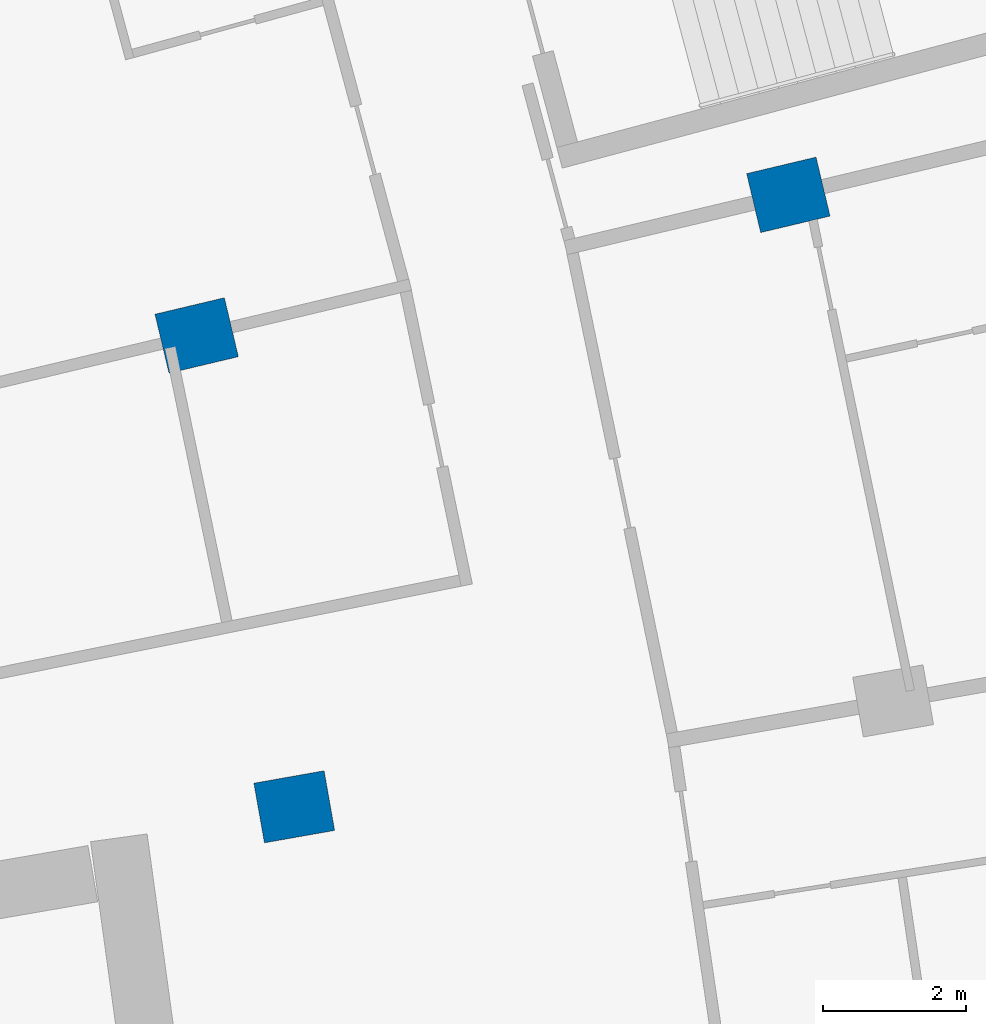
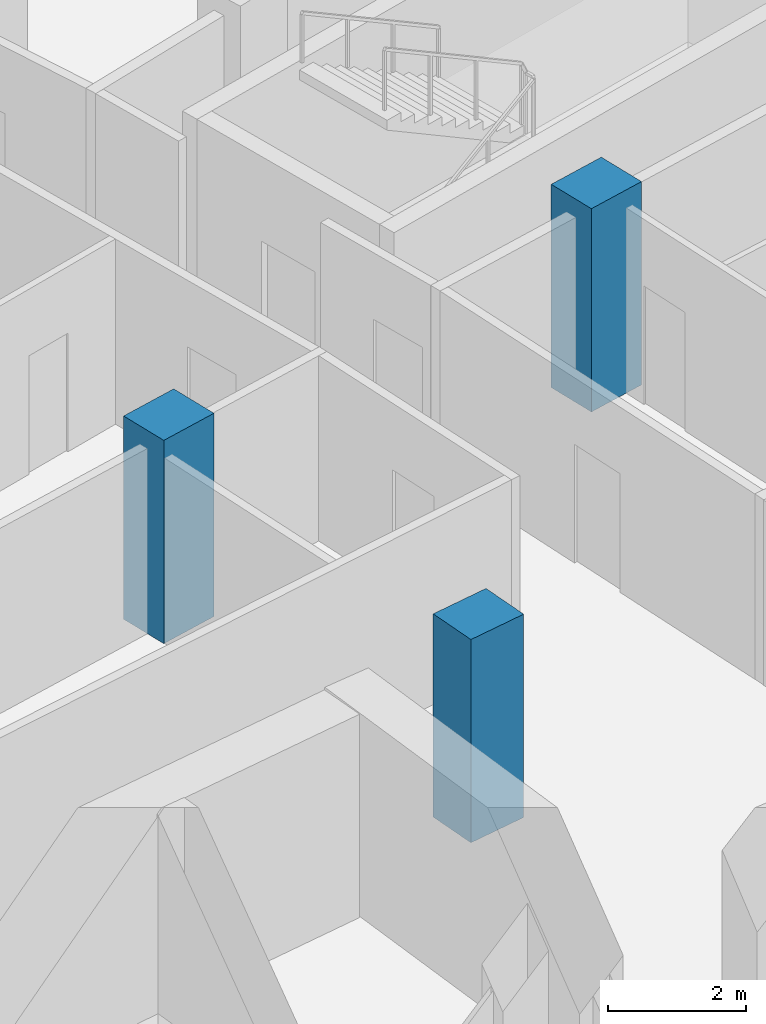
# One storey, part 8 of 24: 3 columns.
"""IFC4 building model written with IfcOpenShell, lengths in metres."""

from ifc_helpers import new_model, si_unit, direction, frame, origin, origin_2d, place, context, subcontext, project, spatial, rectangle, extrude, material, material_profile, profile_set, type_object, element, save


model = new_model("IFC4")

# Units and contexts
model_context = context("Model", 3, precision=1e-05, world=origin(), true_north=direction((0.0, 1.0)))
body_context = subcontext(model_context, "Body", "Model", "MODEL_VIEW")
ifc_project = project(units=[si_unit("LENGTHUNIT", "METRE"), si_unit("AREAUNIT", "SQUARE_METRE"), si_unit("VOLUMEUNIT", "CUBIC_METRE"), si_unit("PLANEANGLEUNIT", "RADIAN"), si_unit("MASSUNIT", "GRAM", prefix="KILO")], contexts=[model_context])

# Site, building, storey
site_placement = place(None, origin())
site = spatial("IfcSite", under=ifc_project, at=site_placement, CompositionType="ELEMENT")
building_placement = place(site_placement, origin())
building = spatial("IfcBuilding", under=site, at=building_placement, Name="Alderwake Tower", CompositionType="ELEMENT")
storey_placement = place(building_placement, frame((0.0, 0.0, 96.800048828125)))
storey = spatial("IfcBuildingStorey", under=building, at=storey_placement, Name="L23", CompositionType="ELEMENT", Elevation=96.800048828125)

# Columns
ifc_material = material(Name="Concrete C70/85", Category="concrete")
ifc_material_profile = material_profile(ifc_material, rectangle(XDim=0.85009765625, YDim=1.0, at=origin_2d()), Name="RC 1000X850")
ifc_profile_set = profile_set([ifc_material_profile], Name="Concrete C70/85")
column_type = type_object("IfcColumnType", Name="Interior column Z2", PredefinedType="COLUMN", material=ifc_profile_set)
for number, where, z_axis, x_axis, name in (
    (1, (34.03125, 81.16162109375, 0.0), (0.0, 0.0, 1.0), (-0.174108800747, 0.984726421654, 0.0), "Column R10-C2"),
    (2, (32.661865234375, 87.775390625, 0.0), (0.0, 0.0, 1.0), (-0.231221547198, 0.972901123502, 0.0), "Column R11-C2"),
    (3, (40.964111328125, 89.74853515625, 0.0), (0.0, 0.0, 1.0), (-0.231221547198, 0.972901123502, 0.0), "Column R11-C3"),
):
    element("IfcColumn", number, at=place(storey_placement, frame(where, z_axis=z_axis, x_axis=x_axis)), inside=storey, type_object=column_type, Name=name, PredefinedType="COLUMN", context=body_context, shape_type="SweptSolid", body=[
        extrude(rectangle(XDim=0.85009765625, YDim=1.0, at=origin_2d()), origin(), (0.0, 0.0, 1.0), 3.599853515625),
    ])

save(model, "model.ifc")
